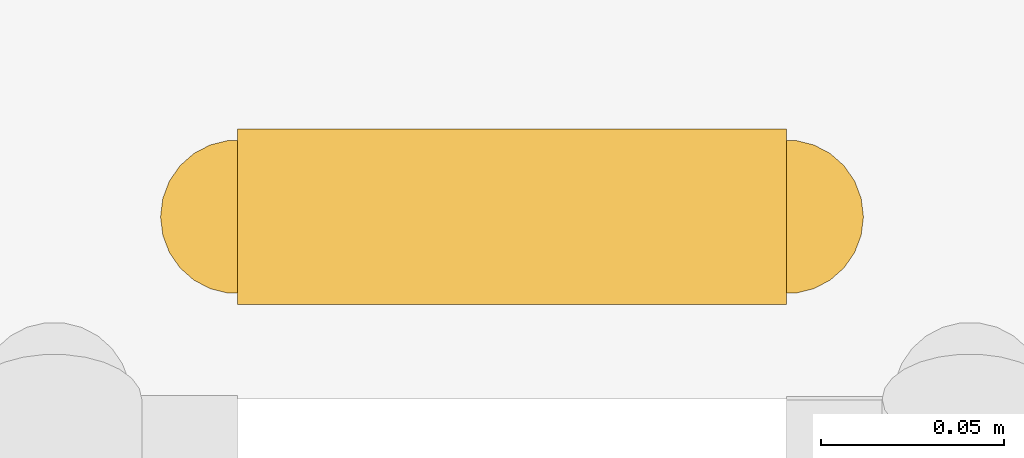
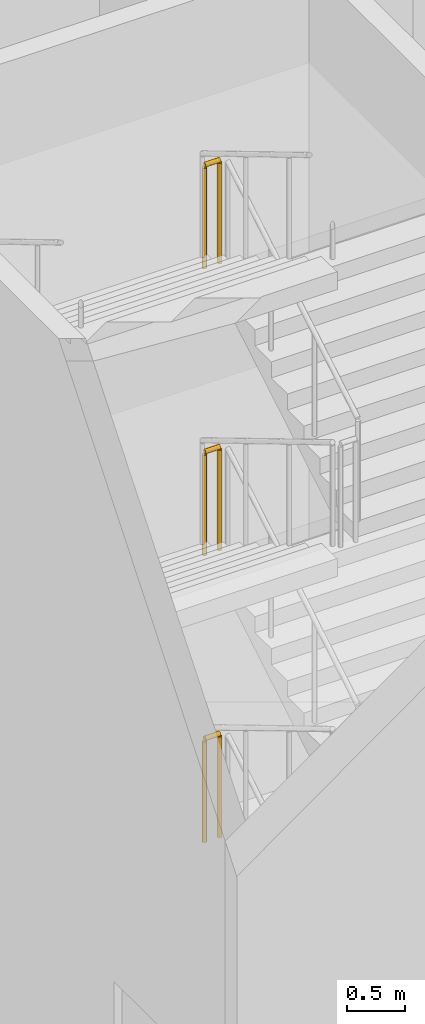
# One storey, part 24 of 25: 3 railings.
"""IFC4 building model written with IfcOpenShell, lengths in metres."""

from ifc_helpers import new_model, si_unit, direction, frame, origin, origin_2d, place, context, subcontext, project, spatial, circle, extrude, material, type_object, element, save


model = new_model("IFC4")

# Units and contexts
model_context = context("Model", 3, precision=1e-05, world=origin(), true_north=direction((0.0, 1.0)))
body_context = subcontext(model_context, "Body", "Model", "MODEL_VIEW")
ifc_project = project(units=[si_unit("LENGTHUNIT", "METRE"), si_unit("AREAUNIT", "SQUARE_METRE"), si_unit("VOLUMEUNIT", "CUBIC_METRE"), si_unit("PLANEANGLEUNIT", "RADIAN"), si_unit("MASSUNIT", "GRAM", prefix="KILO")], contexts=[model_context])

# Site, building, storey
site_placement = place(None, origin())
site = spatial("IfcSite", under=ifc_project, at=site_placement, CompositionType="ELEMENT")
building_placement = place(site_placement, origin())
building = spatial("IfcBuilding", under=site, at=building_placement, Name="Calabash Gate Tower", CompositionType="ELEMENT")
storey_placement = place(building_placement, frame((0.0, 0.0, 20.0)))
storey = spatial("IfcBuildingStorey", under=building, at=storey_placement, Name="L02", CompositionType="ELEMENT", Elevation=20.0)

# Railings
ifc_material = material(Name="Black powder-coated steel balusters", Category="steel")
railing_type = type_object("IfcRailingType", Name="Stair guard RL1100", PredefinedType="GUARDRAIL", material=ifc_material)
for number, where, name in (
    (1, (-35.860107421875, 18.44189453125, 1.5), "L02 PS5 stair guard 2"),
    (2, (-35.860107421875, 18.44189453125, 4.5), "L02 PS5 stair guard 6"),
    (3, (-35.860107421875, 18.44189453125, 7.5), "L02 PS5 stair guard 10"),
):
    element("IfcRailing", number, at=place(storey_placement, frame(where)), inside=storey, type_object=railing_type, Name=name, PredefinedType="GUARDRAIL", context=body_context, shape_type="SweptSolid", body=[
        extrude(circle(Radius=0.02392578125, at=origin_2d()), frame((0.0, 0.0, 1.076171875), z_axis=(-1.0, 0.0, 0.0), x_axis=(0.0, -1.0, 0.0)), (0.0, 0.0, 1.0), 0.14990234375),
        extrude(circle(Radius=0.02099609375, at=origin_2d()), origin(), (0.0, 0.0, 1.0), 1.052001953125),
        extrude(circle(Radius=0.02099609375, at=origin_2d()), frame((-0.14990234375, 0.0, 0.0)), (0.0, 0.0, 1.0), 1.052001953125),
    ])

save(model, "model.ifc")
